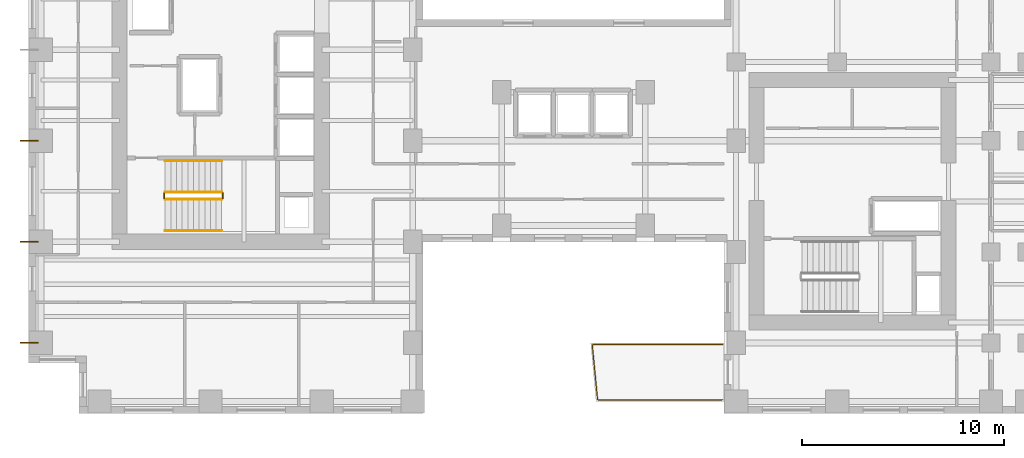
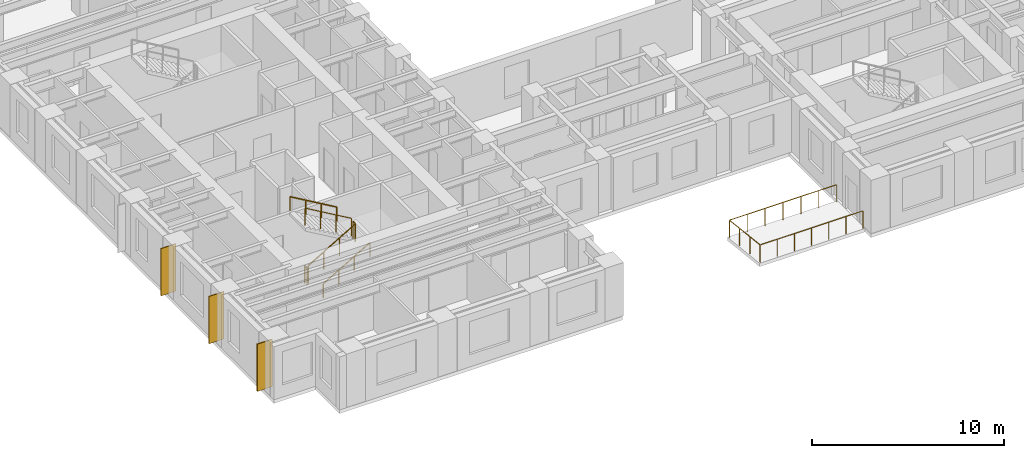
# One storey, part 10 of 12: 7 railings, 3 coverings.
"""IFC4 building model written with IfcOpenShell, lengths in metres."""

from ifc_helpers import new_model, si_unit, direction, frame, origin, origin_2d, place, context, subcontext, project, spatial, rectangle, circle, extrude, source, transform, mapped, material, layer, layer_set, type_object, element, save


model = new_model("IFC4")

# Units and contexts
model_context = context("Model", 3, precision=1e-05, world=origin(), true_north=direction((0.0, 1.0)))
body_context = subcontext(model_context, "Body", "Model", "MODEL_VIEW")
ifc_project = project(units=[si_unit("LENGTHUNIT", "METRE"), si_unit("AREAUNIT", "SQUARE_METRE"), si_unit("VOLUMEUNIT", "CUBIC_METRE"), si_unit("PLANEANGLEUNIT", "RADIAN"), si_unit("MASSUNIT", "GRAM", prefix="KILO")], contexts=[model_context])

# Site, building, storey
site_placement = place(None, origin())
site = spatial("IfcSite", under=ifc_project, at=site_placement, CompositionType="ELEMENT")
building_placement = place(site_placement, origin())
building = spatial("IfcBuilding", under=site, at=building_placement, Name="Kharzan Plaza Tower", CompositionType="ELEMENT")
storey_placement = place(building_placement, frame((0.0, 0.0, 106.199951171875)))
storey = spatial("IfcBuildingStorey", under=building, at=storey_placement, Name="L28", CompositionType="ELEMENT", Elevation=106.199951171875)

# Railings
ifc_material_1 = material(Name="Painted Galvanized Architectural Steel", Category="steel")
ifc_layer_1 = layer(ifc_material_1, 0.074951171875)
ifc_layer_set_1 = layer_set([ifc_layer_1], Name="Painted Galvanized Architectural Steel")
railing_type_1 = type_object("IfcRailingType", Name="RL-GUARD-1120", PredefinedType="BALUSTRADE", material=ifc_layer_set_1)
shared_shape_1 = source(origin(), body_context, "Body", "SweptSolid", [
    extrude(circle(Radius=0.02392578125, at=origin_2d()), frame((0.0, 0.0263671875, 1.09619140625), z_axis=(0.0, 1.0, 0.0), x_axis=(-1.0, 0.0, 0.0)), (0.0, 0.0, 1.0), 0.197021484375),
    extrude(circle(Radius=0.02099609375, at=origin_2d()), origin(), (0.0, 0.0, 1.0), 1.072021484375),
    extrude(circle(Radius=0.02099609375, at=origin_2d()), frame((0.0, 0.25, 0.0)), (0.0, 0.0, 1.0), 1.072021484375),
])
for number, where, name in (
    (1, (9.60009765625, 10.64990234375, 1.800048828125), "L28 ST-1 stair guard 2"),
    (2, (6.699951171875, 10.64990234375, 0.0), "L28 ST-1 stair guard 4"),
):
    element("IfcRailing", number, at=place(storey_placement, frame(where)), inside=storey, type_object=railing_type_1, Name=name, PredefinedType="BALUSTRADE", context=body_context, shape_type="MappedRepresentation", body=[
        mapped(shared_shape_1, transform((0.0, 0.0, 0.0), x_axis=(1.0, 0.0, 0.0), y_axis=(0.0, 1.0, 0.0), z_axis=(0.0, 0.0, 1.0))),
    ])

# Coverings
ifc_material_2 = material(Name="Honed Riyadh Limestone", Category="masonry")
ifc_layer_2 = layer(ifc_material_2, 0.06005859375)
ifc_layer_set_2 = layer_set([ifc_layer_2], Name="Honed Riyadh Limestone")
covering_type = type_object("IfcCoveringType", Name="COV-CLAD-STONE", PredefinedType="CLADDING", material=ifc_layer_set_2)
shared_shape_2 = source(origin(), body_context, "Body", "SweptSolid", [
    extrude(rectangle(XDim=0.06005859375, YDim=0.89990234375, at=origin_2d()), origin(), (0.0, 0.0, 1.0), 3.0),
])
for number, where, z_axis, x_axis, name in (
    (3, (0.02001953125, 13.5, 0.10009765625), (0.0, 0.0, 1.0), (0.0, 1.0, 0.0), "L28 Limestone Pier Rainscreen Cladding TCW-135"),
    (4, (0.02001953125, 3.5, 0.10009765625), (0.0, 0.0, 1.0), (0.0, 1.0, 0.0), "L28 Limestone Pier Rainscreen Cladding TCW-35"),
    (5, (0.02001953125, 8.5, 0.10009765625), (0.0, 0.0, 1.0), (0.0, 1.0, 0.0), "L28 Limestone Pier Rainscreen Cladding TCW-85"),
):
    element("IfcCovering", number, at=place(storey_placement, frame(where, z_axis=z_axis, x_axis=x_axis)), inside=storey, type_object=covering_type, Name=name, PredefinedType="CLADDING", context=body_context, shape_type="MappedRepresentation", body=[
        mapped(shared_shape_2, transform((0.0, 0.0, 0.0), x_axis=(1.0, 0.0, 0.0), y_axis=(0.0, 1.0, 0.0), z_axis=(0.0, 0.0, 1.0))),
    ])

# Railings
shared_shape_3 = source(origin(), body_context, "Body", "SweptSolid", [
    extrude(circle(Radius=0.02392578125, at=origin_2d()), frame((0.02294921875, 0.0, 1.109375), z_axis=(0.863360870873, 0.0, 0.504586966384), x_axis=(0.0, 1.0, 0.0)), (0.0, 0.0, 1.0), 3.190185546875),
    extrude(circle(Radius=0.02099609375, at=origin_2d()), origin(), (0.0, 0.0, 1.0), 1.072021484375),
    extrude(circle(Radius=0.02099609375, at=origin_2d()), frame((0.933349609375, 0.0, 0.54541015625)), (0.0, 0.0, 1.0), 1.072021484375),
    extrude(circle(Radius=0.02099609375, at=origin_2d()), frame((1.86669921875, 0.0, 1.091064453125)), (0.0, 0.0, 1.0), 1.072021484375),
    extrude(circle(Radius=0.02099609375, at=origin_2d()), frame((2.800048828125, 0.0, 1.636474609375)), (0.0, 0.0, 1.0), 1.072021484375),
])
railing_1_placement = place(storey_placement, frame((6.75, 10.60009765625, 0.16357421875)))
element("IfcRailing", 6, at=railing_1_placement, inside=storey, type_object=railing_type_1, Name="L28 ST-1 stair guard 1", PredefinedType="BALUSTRADE", context=body_context, shape_type="MappedRepresentation", body=[
    mapped(shared_shape_3, transform((0.0, 0.0, 0.0), x_axis=(1.0, 0.0, 0.0), y_axis=(0.0, 1.0, 0.0), z_axis=(0.0, 0.0, 1.0))),
])
shared_shape_4 = source(origin(), body_context, "Body", "SweptSolid", [
    extrude(circle(Radius=0.02392578125, at=origin_2d()), frame((-0.02294921875, 0.0, 1.109375), z_axis=(-0.863360870873, 0.0, 0.504586966384), x_axis=(0.0, -1.0, 0.0)), (0.0, 0.0, 1.0), 3.190185546875),
    extrude(circle(Radius=0.02099609375, at=origin_2d()), origin(), (0.0, 0.0, 1.0), 1.072021484375),
    extrude(circle(Radius=0.02099609375, at=origin_2d()), frame((-0.933349609375, 0.0, 0.54541015625)), (0.0, 0.0, 1.0), 1.072021484375),
    extrude(circle(Radius=0.02099609375, at=origin_2d()), frame((-1.86669921875, 0.0, 1.091064453125)), (0.0, 0.0, 1.0), 1.072021484375),
    extrude(circle(Radius=0.02099609375, at=origin_2d()), frame((-2.800048828125, 0.0, 1.636474609375)), (0.0, 0.0, 1.0), 1.072021484375),
])
railing_2_placement = place(storey_placement, frame((9.550048828125, 10.949951171875, 1.963623046875)))
element("IfcRailing", 7, at=railing_2_placement, inside=storey, type_object=railing_type_1, Name="L28 ST-1 stair guard 3", PredefinedType="BALUSTRADE", context=body_context, shape_type="MappedRepresentation", body=[
    mapped(shared_shape_4, transform((0.0, 0.0, 0.0), x_axis=(1.0, 0.0, 0.0), y_axis=(0.0, 1.0, 0.0), z_axis=(0.0, 0.0, 1.0))),
])
ifc_material_3 = material(Name="Brushed Stainless Steel", Category="steel")
ifc_layer_3 = layer(ifc_material_3, 0.050048828125)
ifc_layer_set_3 = layer_set([ifc_layer_3], Name="Brushed Stainless Steel")
railing_type_2 = type_object("IfcRailingType", Name="RL-STAIR-HR920", PredefinedType="HANDRAIL", material=ifc_layer_set_3)
shared_shape_5 = source(origin(), body_context, "Body", "SweptSolid", [
    extrude(circle(Radius=0.02392578125, at=origin_2d()), frame((0.02294921875, 0.0, 0.88916015625), z_axis=(0.863360870873, 0.0, 0.504586966384), x_axis=(0.0, 1.0, 0.0)), (0.0, 0.0, 1.0), 3.190185546875),
    extrude(circle(Radius=0.02099609375, at=origin_2d()), origin(), (0.0, 0.0, 1.0), 0.851806640625),
    extrude(circle(Radius=0.02099609375, at=origin_2d()), frame((0.933349609375, 0.0, 0.54541015625)), (0.0, 0.0, 1.0), 0.851806640625),
    extrude(circle(Radius=0.02099609375, at=origin_2d()), frame((1.86669921875, 0.0, 1.091064453125)), (0.0, 0.0, 1.0), 0.851806640625),
    extrude(circle(Radius=0.02099609375, at=origin_2d()), frame((2.800048828125, 0.0, 1.636474609375)), (0.0, 0.0, 1.0), 0.851806640625),
])
railing_3_placement = place(storey_placement, frame((6.75, 9.050048828125, 0.16357421875)))
element("IfcRailing", 8, at=railing_3_placement, inside=storey, type_object=railing_type_2, Name="L28 ST-1 stair handrail 1", PredefinedType="HANDRAIL", context=body_context, shape_type="MappedRepresentation", body=[
    mapped(shared_shape_5, transform((0.0, 0.0, 0.0), x_axis=(1.0, 0.0, 0.0), y_axis=(0.0, 1.0, 0.0), z_axis=(0.0, 0.0, 1.0))),
])
shared_shape_6 = source(origin(), body_context, "Body", "SweptSolid", [
    extrude(circle(Radius=0.02392578125, at=origin_2d()), frame((-0.02294921875, 0.0, 0.88916015625), z_axis=(-0.863360870873, 0.0, 0.504586966384), x_axis=(0.0, -1.0, 0.0)), (0.0, 0.0, 1.0), 3.190185546875),
    extrude(circle(Radius=0.02099609375, at=origin_2d()), origin(), (0.0, 0.0, 1.0), 0.851806640625),
    extrude(circle(Radius=0.02099609375, at=origin_2d()), frame((-0.933349609375, 0.0, 0.54541015625)), (0.0, 0.0, 1.0), 0.851806640625),
    extrude(circle(Radius=0.02099609375, at=origin_2d()), frame((-1.86669921875, 0.0, 1.091064453125)), (0.0, 0.0, 1.0), 0.851806640625),
    extrude(circle(Radius=0.02099609375, at=origin_2d()), frame((-2.800048828125, 0.0, 1.636474609375)), (0.0, 0.0, 1.0), 0.851806640625),
])
railing_4_placement = place(storey_placement, frame((9.550048828125, 12.5, 1.963623046875)))
element("IfcRailing", 9, at=railing_4_placement, inside=storey, type_object=railing_type_2, Name="L28 ST-1 stair handrail 2", PredefinedType="HANDRAIL", context=body_context, shape_type="MappedRepresentation", body=[
    mapped(shared_shape_6, transform((0.0, 0.0, 0.0), x_axis=(1.0, 0.0, 0.0), y_axis=(0.0, 1.0, 0.0), z_axis=(0.0, 0.0, 1.0))),
])
shared_shape_7 = source(origin(), body_context, "Body", "SweptSolid", [
    extrude(circle(Radius=0.02392578125, at=origin_2d()), frame((-0.0263671875, 0.0, 1.09619140625), z_axis=(-1.0, 0.0, 0.0), x_axis=(0.0, -1.0, 0.0)), (0.0, 0.0, 1.0), 6.123046875),
    extrude(circle(Radius=0.02392578125, at=origin_2d()), frame((-6.178466796875, 0.0263671875, 1.09619140625), z_axis=(-0.095964210763, 0.995384785022, 0.0), x_axis=(-0.995384785022, -0.095964210763, 0.0)), (0.0, 0.0, 1.0), 2.69970703125),
    extrude(circle(Radius=0.02392578125, at=origin_2d()), frame((-6.413818359375, 2.739990234375, 1.09619140625), z_axis=(1.0, 0.0, 0.0), x_axis=(0.0, 1.0, 0.0)), (0.0, 0.0, 1.0), 6.38720703125),
    extrude(circle(Radius=0.02099609375, at=origin_2d()), origin(), (0.0, 0.0, 1.0), 1.072021484375),
    extrude(circle(Radius=0.02099609375, at=origin_2d()), frame((-1.029296875, 0.0, 0.0)), (0.0, 0.0, 1.0), 1.072021484375),
    extrude(circle(Radius=0.02099609375, at=origin_2d()), frame((-2.05859375, 0.0, 0.0)), (0.0, 0.0, 1.0), 1.072021484375),
    extrude(circle(Radius=0.02099609375, at=origin_2d()), frame((-3.087890625, 0.0, 0.0)), (0.0, 0.0, 1.0), 1.072021484375),
    extrude(circle(Radius=0.02099609375, at=origin_2d()), frame((-4.117431640625, 0.0, 0.0)), (0.0, 0.0, 1.0), 1.072021484375),
    extrude(circle(Radius=0.02099609375, at=origin_2d()), frame((-5.146728515625, 0.0, 0.0)), (0.0, 0.0, 1.0), 1.072021484375),
    extrude(circle(Radius=0.02099609375, at=origin_2d()), frame((-6.176025390625, 0.0, 0.0)), (0.0, 0.0, 1.0), 1.072021484375),
    extrude(circle(Radius=0.02099609375, at=origin_2d()), frame((-6.26416015625, 0.913330078125, 0.0)), (0.0, 0.0, 1.0), 1.072021484375),
    extrude(circle(Radius=0.02099609375, at=origin_2d()), frame((-6.35205078125, 1.82666015625, 0.0)), (0.0, 0.0, 1.0), 1.072021484375),
    extrude(circle(Radius=0.02099609375, at=origin_2d()), frame((-6.440185546875, 2.739990234375, 0.0)), (0.0, 0.0, 1.0), 1.072021484375),
    extrude(circle(Radius=0.02099609375, at=origin_2d()), frame((-5.36669921875, 2.739990234375, 0.0)), (0.0, 0.0, 1.0), 1.072021484375),
    extrude(circle(Radius=0.02099609375, at=origin_2d()), frame((-4.29345703125, 2.739990234375, 0.0)), (0.0, 0.0, 1.0), 1.072021484375),
    extrude(circle(Radius=0.02099609375, at=origin_2d()), frame((-3.22021484375, 2.739990234375, 0.0)), (0.0, 0.0, 1.0), 1.072021484375),
    extrude(circle(Radius=0.02099609375, at=origin_2d()), frame((-2.146728515625, 2.739990234375, 0.0)), (0.0, 0.0, 1.0), 1.072021484375),
    extrude(circle(Radius=0.02099609375, at=origin_2d()), frame((-1.0732421875, 2.739990234375, 0.0)), (0.0, 0.0, 1.0), 1.072021484375),
    extrude(circle(Radius=0.02099609375, at=origin_2d()), frame((0.0, 2.739990234375, 0.0)), (0.0, 0.0, 1.0), 1.072021484375),
])
railing_5_placement = place(storey_placement, frame((34.320068359375, 0.679931640625, 0.0)))
element("IfcRailing", 10, at=railing_5_placement, inside=storey, type_object=railing_type_1, Name="L28 Cantilevered Sky-Terrace Tray Balustrade", PredefinedType="BALUSTRADE", context=body_context, shape_type="MappedRepresentation", body=[
    mapped(shared_shape_7, transform((0.0, 0.0, 0.0), x_axis=(1.0, 0.0, 0.0), y_axis=(0.0, 1.0, 0.0), z_axis=(0.0, 0.0, 1.0))),
])

save(model, "model.ifc")
